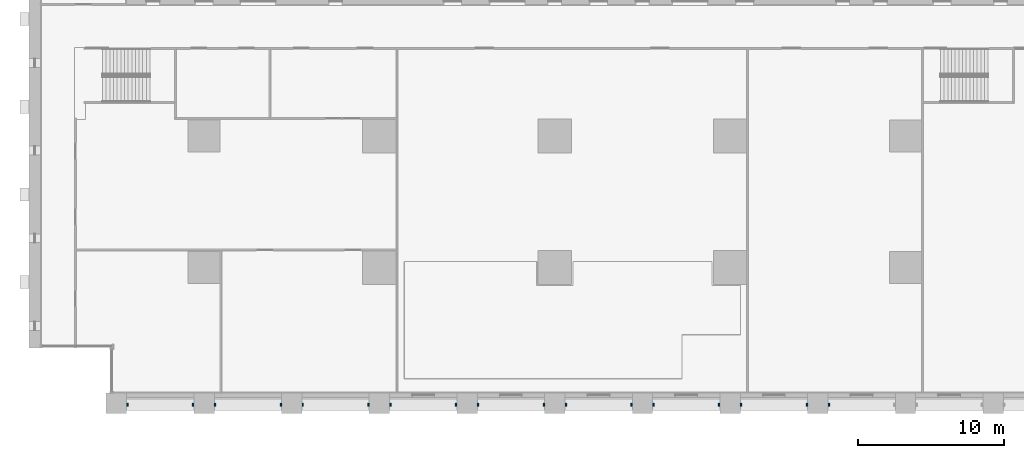
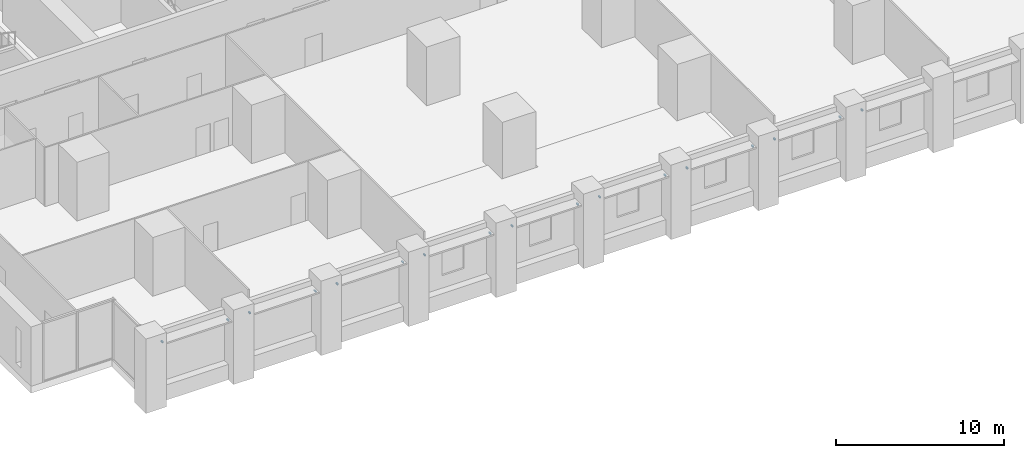
# One storey, part 14 of 17: 17 discrete accessories.
"""IFC4 building model written with IfcOpenShell, lengths in metres."""

from ifc_helpers import new_model, si_unit, direction, frame, origin, origin_2d, place, context, subcontext, project, spatial, rectangle, extrude, element, save


model = new_model("IFC4")

# Units and contexts
model_context = context("Model", 3, precision=1e-05, world=origin(), true_north=direction((0.0, 1.0)))
body_context = subcontext(model_context, "Body", "Model", "MODEL_VIEW")
ifc_project = project(units=[si_unit("LENGTHUNIT", "METRE"), si_unit("AREAUNIT", "SQUARE_METRE"), si_unit("VOLUMEUNIT", "CUBIC_METRE"), si_unit("PLANEANGLEUNIT", "RADIAN"), si_unit("MASSUNIT", "GRAM", prefix="KILO")], contexts=[model_context])

# Site, building, storey
site_placement = place(None, origin())
site = spatial("IfcSite", under=ifc_project, at=site_placement, CompositionType="ELEMENT")
building_placement = place(site_placement, origin())
building = spatial("IfcBuilding", under=site, at=building_placement, Name="Calvaro Tower", CompositionType="ELEMENT")
storey_placement = place(building_placement, frame((0.0, 0.0, 6.5)))
storey = spatial("IfcBuildingStorey", under=building, at=storey_placement, Name="L01", CompositionType="ELEMENT", Elevation=6.5)

# Discrete accessories
for number, where, z_axis, x_axis, name in (
    (1, (6.75, 0.60009765625, 3.199951171875), (0.0, 0.0, 1.0), (1.0, 0.0, 0.0), "Brise-soleil bracket"),
    (2, (11.25, 0.60009765625, 3.199951171875), (0.0, 0.0, 1.0), (1.0, 0.0, 0.0), "Brise-soleil bracket"),
    (3, (12.75, 0.60009765625, 3.199951171875), (0.0, 0.0, 1.0), (1.0, 0.0, 0.0), "Brise-soleil bracket"),
    (4, (17.25, 0.60009765625, 3.199951171875), (0.0, 0.0, 1.0), (1.0, 0.0, 0.0), "Brise-soleil bracket"),
    (5, (18.75, 0.60009765625, 3.199951171875), (0.0, 0.0, 1.0), (1.0, 0.0, 0.0), "Brise-soleil bracket"),
    (6, (23.25, 0.60009765625, 3.199951171875), (0.0, 0.0, 1.0), (1.0, 0.0, 0.0), "Brise-soleil bracket"),
    (7, (24.75, 0.60009765625, 3.199951171875), (0.0, 0.0, 1.0), (1.0, 0.0, 0.0), "Brise-soleil bracket"),
    (8, (29.25, 0.60009765625, 3.199951171875), (0.0, 0.0, 1.0), (1.0, 0.0, 0.0), "Brise-soleil bracket"),
    (9, (30.75, 0.60009765625, 3.199951171875), (0.0, 0.0, 1.0), (1.0, 0.0, 0.0), "Brise-soleil bracket"),
    (10, (35.25, 0.60009765625, 3.199951171875), (0.0, 0.0, 1.0), (1.0, 0.0, 0.0), "Brise-soleil bracket"),
    (11, (36.75, 0.60009765625, 3.199951171875), (0.0, 0.0, 1.0), (1.0, 0.0, 0.0), "Brise-soleil bracket"),
    (12, (41.25, 0.60009765625, 3.199951171875), (0.0, 0.0, 1.0), (1.0, 0.0, 0.0), "Brise-soleil bracket"),
    (13, (42.75, 0.60009765625, 3.199951171875), (0.0, 0.0, 1.0), (1.0, 0.0, 0.0), "Brise-soleil bracket"),
    (14, (47.25, 0.60009765625, 3.199951171875), (0.0, 0.0, 1.0), (1.0, 0.0, 0.0), "Brise-soleil bracket"),
    (15, (48.75, 0.60009765625, 3.199951171875), (0.0, 0.0, 1.0), (1.0, 0.0, 0.0), "Brise-soleil bracket"),
    (16, (53.25, 0.60009765625, 3.199951171875), (0.0, 0.0, 1.0), (1.0, 0.0, 0.0), "Brise-soleil bracket"),
    (17, (54.75, 0.60009765625, 3.199951171875), (0.0, 0.0, 1.0), (1.0, 0.0, 0.0), "Brise-soleil bracket"),
):
    element("IfcDiscreteAccessory", number, at=place(storey_placement, frame(where, z_axis=z_axis, x_axis=x_axis)), inside=storey, Name=name, PredefinedType="BRACKET", context=body_context, shape_type="SweptSolid", body=[
        extrude(rectangle(XDim=0.10009765625, YDim=0.199951171875, at=origin_2d()), origin(), (0.0, 0.0, 1.0), 0.10009765625),
    ])

save(model, "model.ifc")
